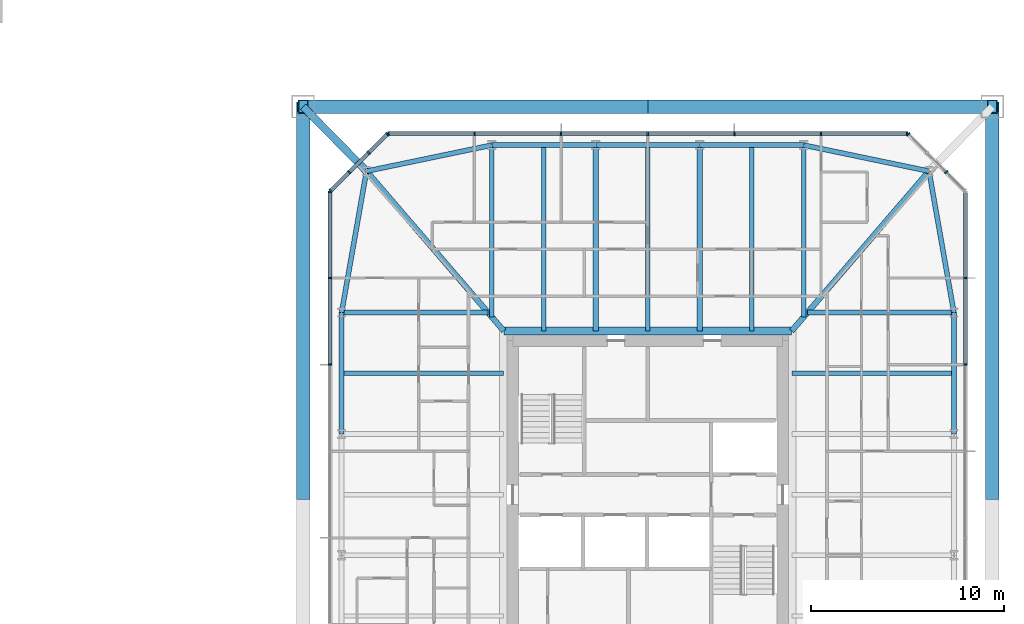
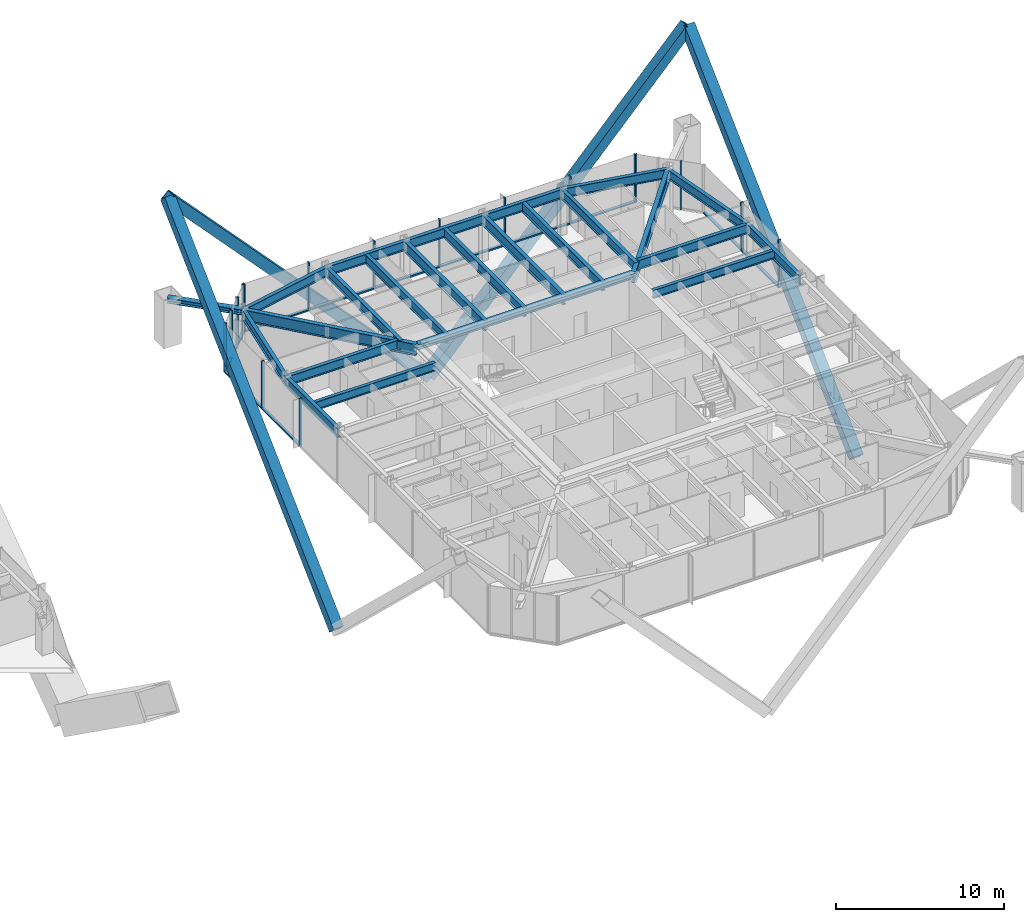
# One storey, part 12 of 28: 36 members, 23 beams, 5 elements without a shape of their own.
"""IFC4 building model written with IfcOpenShell, lengths in metres."""

from ifc_helpers import new_model, si_unit, direction, frame, origin, origin_2d, place, context, subcontext, project, spatial, rectangle, hollow_rectangle, i_section, extrude, material, material_profile, profile_set, type_object, element, aggregate, save


model = new_model("IFC4")

# Units and contexts
model_context = context("Model", 3, precision=1e-05, world=origin(), true_north=direction((0.0, 1.0)))
body_context = subcontext(model_context, "Body", "Model", "MODEL_VIEW")
ifc_project = project(units=[si_unit("LENGTHUNIT", "METRE"), si_unit("AREAUNIT", "SQUARE_METRE"), si_unit("VOLUMEUNIT", "CUBIC_METRE"), si_unit("PLANEANGLEUNIT", "RADIAN"), si_unit("MASSUNIT", "GRAM", prefix="KILO")], contexts=[model_context])

# Site, building, storey
site_placement = place(None, origin())
site = spatial("IfcSite", under=ifc_project, at=site_placement, CompositionType="ELEMENT")
building_placement = place(site_placement, origin())
building = spatial("IfcBuilding", under=site, at=building_placement, Name="Iwan Alto Co-Living Towers", CompositionType="ELEMENT")
storey_placement = place(building_placement, frame((0.0, 0.0, 64.0)))
storey = spatial("IfcBuildingStorey", under=building, at=storey_placement, Name="L17", CompositionType="ELEMENT", Elevation=64.0)

# Curtain wall, members
ifc_material_1 = material(Name="Bronze aluminium unitised frame", Category="aluminium")
curtain_wall_type_1 = type_object("IfcCurtainWallType", Name="CURTAIN WALL CW-C", PredefinedType="NOTDEFINED", material=ifc_material_1)
curtain_wall_1_placement = place(storey_placement, origin())
curtain_wall_1 = element("IfcCurtainWall", 1, at=curtain_wall_1_placement, inside=storey, type_object=curtain_wall_type_1, Name="T2 curtain wall E L17", PredefinedType="NOTDEFINED")
ifc_material_2 = material(Name="Aluminium 6063-T6 bronze anodised", Category="aluminium")
ifc_material_profile_1 = material_profile(ifc_material_2, rectangle(XDim=0.199951171875, YDim=0.080078125, at=origin_2d()), Name="AL 80X200")
ifc_profile_set_1 = profile_set([ifc_material_profile_1], Name="Aluminium 6063-T6 bronze anodised")
member_type_1 = type_object("IfcMemberType", Name="CW-C MULLION 80X200", PredefinedType="MULLION", material=ifc_profile_set_1)
member_1_placement = place(storey_placement, frame((79.5, 6.75, 0.0), z_axis=(0.0, 0.0, 1.0), x_axis=(-1.0, 0.0, 0.0)))
member_1 = element("IfcMember", 2, at=member_1_placement, type_object=member_type_1, Name="CW-C mullion 6", PredefinedType="MULLION", context=body_context, shape_type="SweptSolid", body=[
    extrude(rectangle(XDim=0.199951171875, YDim=0.080078125, at=origin_2d()), origin(), (0.0, 0.0, 1.0), 3.5),
])
member_2_placement = place(storey_placement, frame((79.5, 11.25, 0.0), z_axis=(0.0, 0.0, 1.0), x_axis=(-1.0, 0.0, 0.0)))
member_2 = element("IfcMember", 3, at=member_2_placement, type_object=member_type_1, Name="CW-C mullion 7", PredefinedType="MULLION", context=body_context, shape_type="SweptSolid", body=[
    extrude(rectangle(XDim=0.199951171875, YDim=0.080078125, at=origin_2d()), origin(), (0.0, 0.0, 1.0), 3.5),
])

curtain_wall_2_placement = place(storey_placement, origin())
curtain_wall_2 = element("IfcCurtainWall", 4, at=curtain_wall_2_placement, inside=storey, type_object=curtain_wall_type_1, Name="T2 curtain wall N L17", PredefinedType="NOTDEFINED")
member_3_placement = place(storey_placement, frame((76.4599609375, 18.75, 0.0), z_axis=(0.0, 0.0, 1.0), x_axis=(0.0, -1.0, 0.0)))
member_3 = element("IfcMember", 5, at=member_3_placement, type_object=member_type_1, Name="CW-C mullion 1", PredefinedType="MULLION", context=body_context, shape_type="SweptSolid", body=[
    extrude(rectangle(XDim=0.199951171875, YDim=0.080078125, at=origin_2d()), origin(), (0.0, 0.0, 1.0), 3.5),
])
member_4_placement = place(storey_placement, frame((72.0, 18.75, 0.0), z_axis=(0.0, 0.0, 1.0), x_axis=(0.0, -1.0, 0.0)))
member_4 = element("IfcMember", 6, at=member_4_placement, type_object=member_type_1, Name="CW-C mullion 2", PredefinedType="MULLION", context=body_context, shape_type="SweptSolid", body=[
    extrude(rectangle(XDim=0.199951171875, YDim=0.080078125, at=origin_2d()), origin(), (0.0, 0.0, 1.0), 3.5),
])
member_5_placement = place(storey_placement, frame((67.5, 18.75, 0.0), z_axis=(0.0, 0.0, 1.0), x_axis=(0.0, -1.0, 0.0)))
member_5 = element("IfcMember", 7, at=member_5_placement, type_object=member_type_1, Name="CW-C mullion 3", PredefinedType="MULLION", context=body_context, shape_type="SweptSolid", body=[
    extrude(rectangle(XDim=0.199951171875, YDim=0.080078125, at=origin_2d()), origin(), (0.0, 0.0, 1.0), 3.5),
])
member_6_placement = place(storey_placement, frame((63.0, 18.75, 0.0), z_axis=(0.0, 0.0, 1.0), x_axis=(0.0, -1.0, 0.0)))
member_6 = element("IfcMember", 8, at=member_6_placement, type_object=member_type_1, Name="CW-C mullion 4", PredefinedType="MULLION", context=body_context, shape_type="SweptSolid", body=[
    extrude(rectangle(XDim=0.199951171875, YDim=0.080078125, at=origin_2d()), origin(), (0.0, 0.0, 1.0), 3.5),
])
member_7_placement = place(storey_placement, frame((58.5, 18.75, 0.0), z_axis=(0.0, 0.0, 1.0), x_axis=(0.0, -1.0, 0.0)))
member_7 = element("IfcMember", 9, at=member_7_placement, type_object=member_type_1, Name="CW-C mullion 5", PredefinedType="MULLION", context=body_context, shape_type="SweptSolid", body=[
    extrude(rectangle(XDim=0.199951171875, YDim=0.080078125, at=origin_2d()), origin(), (0.0, 0.0, 1.0), 3.5),
])
member_8_placement = place(storey_placement, frame((54.0, 18.75, 0.0), z_axis=(0.0, 0.0, 1.0), x_axis=(0.0, -1.0, 0.0)))
member_8 = element("IfcMember", 10, at=member_8_placement, type_object=member_type_1, Name="CW-C mullion 6", PredefinedType="MULLION", context=body_context, shape_type="SweptSolid", body=[
    extrude(rectangle(XDim=0.199951171875, YDim=0.080078125, at=origin_2d()), origin(), (0.0, 0.0, 1.0), 3.5),
])
member_9_placement = place(storey_placement, frame((49.5400390625, 18.75, 0.0), z_axis=(0.0, 0.0, 1.0), x_axis=(0.0, -1.0, 0.0)))
member_9 = element("IfcMember", 11, at=member_9_placement, type_object=member_type_1, Name="CW-C mullion 7", PredefinedType="MULLION", context=body_context, shape_type="SweptSolid", body=[
    extrude(rectangle(XDim=0.199951171875, YDim=0.080078125, at=origin_2d()), origin(), (0.0, 0.0, 1.0), 3.5),
])

curtain_wall_3_placement = place(storey_placement, origin())
curtain_wall_3 = element("IfcCurtainWall", 12, at=curtain_wall_3_placement, inside=storey, type_object=curtain_wall_type_1, Name="T2 curtain wall W L17", PredefinedType="NOTDEFINED")
member_10_placement = place(storey_placement, frame((46.5, 15.7099609375, 0.0), z_axis=(0.0, 0.0, 1.0), x_axis=(1.0, 0.0, 0.0)))
member_10 = element("IfcMember", 13, at=member_10_placement, type_object=member_type_1, Name="CW-C mullion 1", PredefinedType="MULLION", context=body_context, shape_type="SweptSolid", body=[
    extrude(rectangle(XDim=0.199951171875, YDim=0.080078125, at=origin_2d()), origin(), (0.0, 0.0, 1.0), 3.5),
])
member_11_placement = place(storey_placement, frame((46.5, 11.25, 0.0), z_axis=(0.0, 0.0, 1.0), x_axis=(1.0, 0.0, 0.0)))
member_11 = element("IfcMember", 14, at=member_11_placement, type_object=member_type_1, Name="CW-C mullion 2", PredefinedType="MULLION", context=body_context, shape_type="SweptSolid", body=[
    extrude(rectangle(XDim=0.199951171875, YDim=0.080078125, at=origin_2d()), origin(), (0.0, 0.0, 1.0), 3.5),
])
member_12_placement = place(storey_placement, frame((46.5, 6.75, 0.0), z_axis=(0.0, 0.0, 1.0), x_axis=(1.0, 0.0, 0.0)))
member_12 = element("IfcMember", 15, at=member_12_placement, type_object=member_type_1, Name="CW-C mullion 3", PredefinedType="MULLION", context=body_context, shape_type="SweptSolid", body=[
    extrude(rectangle(XDim=0.199951171875, YDim=0.080078125, at=origin_2d()), origin(), (0.0, 0.0, 1.0), 3.5),
])

# Member
ifc_material_3 = material(Name="Aluminium 6063-T6 bronze anodised", Category="aluminium")
ifc_material_profile_2 = material_profile(ifc_material_3, rectangle(XDim=0.199951171875, YDim=0.10009765625, at=origin_2d()), Name="AL 200X100")
ifc_profile_set_2 = profile_set([ifc_material_profile_2], Name="Aluminium 6063-T6 bronze anodised")
member_type_2 = type_object("IfcMemberType", Name="CW-C TRANSOM 200X100", PredefinedType="USERDEFINED", material=ifc_profile_set_2)
member_13_placement = place(storey_placement, frame((79.5, 6.7900390625, 0.050048828125), z_axis=(0.0, 1.0, 0.0), x_axis=(-1.0, 0.0, 0.0)))
member_13 = element("IfcMember", 16, at=member_13_placement, type_object=member_type_2, Name="CW-C transom 6.1", ObjectType="TRANSOM", PredefinedType="USERDEFINED", context=body_context, shape_type="SweptSolid", body=[
    extrude(rectangle(XDim=0.199951171875, YDim=0.10009765625, at=origin_2d()), origin(), (0.0, 0.0, 1.0), 4.419921875),
])

member_14_placement = place(storey_placement, frame((79.5, 11.2900390625, 0.050048828125), z_axis=(0.0, 1.0, 0.0), x_axis=(-1.0, 0.0, 0.0)))
member_14 = element("IfcMember", 17, at=member_14_placement, type_object=member_type_2, Name="CW-C transom 7.1", ObjectType="TRANSOM", PredefinedType="USERDEFINED", context=body_context, shape_type="SweptSolid", body=[
    extrude(rectangle(XDim=0.199951171875, YDim=0.10009765625, at=origin_2d()), origin(), (0.0, 0.0, 1.0), 4.3798828125),
])

aggregate(curtain_wall_1, [member_1, member_2, member_13, member_14])

member_15_placement = place(storey_placement, frame((76.419921875, 18.75, 0.050048828125), z_axis=(-1.0, 0.0, 0.0), x_axis=(0.0, -1.0, 0.0)))
member_15 = element("IfcMember", 18, at=member_15_placement, type_object=member_type_2, Name="CW-C transom 1.1", ObjectType="TRANSOM", PredefinedType="USERDEFINED", context=body_context, shape_type="SweptSolid", body=[
    extrude(rectangle(XDim=0.199951171875, YDim=0.10009765625, at=origin_2d()), origin(), (0.0, 0.0, 1.0), 4.3798828125),
])

member_16_placement = place(storey_placement, frame((71.9599609375, 18.75, 0.050048828125), z_axis=(-1.0, 0.0, 0.0), x_axis=(0.0, -1.0, 0.0)))
member_16 = element("IfcMember", 19, at=member_16_placement, type_object=member_type_2, Name="CW-C transom 2.1", ObjectType="TRANSOM", PredefinedType="USERDEFINED", context=body_context, shape_type="SweptSolid", body=[
    extrude(rectangle(XDim=0.199951171875, YDim=0.10009765625, at=origin_2d()), origin(), (0.0, 0.0, 1.0), 4.419921875),
])

member_17_placement = place(storey_placement, frame((67.4599609375, 18.75, 0.050048828125), z_axis=(-1.0, 0.0, 0.0), x_axis=(0.0, -1.0, 0.0)))
member_17 = element("IfcMember", 20, at=member_17_placement, type_object=member_type_2, Name="CW-C transom 3.1", ObjectType="TRANSOM", PredefinedType="USERDEFINED", context=body_context, shape_type="SweptSolid", body=[
    extrude(rectangle(XDim=0.199951171875, YDim=0.10009765625, at=origin_2d()), origin(), (0.0, 0.0, 1.0), 4.419921875),
])

member_18_placement = place(storey_placement, frame((62.9599609375, 18.75, 0.050048828125), z_axis=(-1.0, 0.0, 0.0), x_axis=(0.0, -1.0, 0.0)))
member_18 = element("IfcMember", 21, at=member_18_placement, type_object=member_type_2, Name="CW-C transom 4.1", ObjectType="TRANSOM", PredefinedType="USERDEFINED", context=body_context, shape_type="SweptSolid", body=[
    extrude(rectangle(XDim=0.199951171875, YDim=0.10009765625, at=origin_2d()), origin(), (0.0, 0.0, 1.0), 4.419921875),
])

member_19_placement = place(storey_placement, frame((58.4599609375, 18.75, 0.050048828125), z_axis=(-1.0, 0.0, 0.0), x_axis=(0.0, -1.0, 0.0)))
member_19 = element("IfcMember", 22, at=member_19_placement, type_object=member_type_2, Name="CW-C transom 5.1", ObjectType="TRANSOM", PredefinedType="USERDEFINED", context=body_context, shape_type="SweptSolid", body=[
    extrude(rectangle(XDim=0.199951171875, YDim=0.10009765625, at=origin_2d()), origin(), (0.0, 0.0, 1.0), 4.419921875),
])

member_20_placement = place(storey_placement, frame((53.9599609375, 18.75, 0.050048828125), z_axis=(-1.0, 0.0, 0.0), x_axis=(0.0, -1.0, 0.0)))
member_20 = element("IfcMember", 23, at=member_20_placement, type_object=member_type_2, Name="CW-C transom 6.1", ObjectType="TRANSOM", PredefinedType="USERDEFINED", context=body_context, shape_type="SweptSolid", body=[
    extrude(rectangle(XDim=0.199951171875, YDim=0.10009765625, at=origin_2d()), origin(), (0.0, 0.0, 1.0), 4.3798828125),
])

aggregate(curtain_wall_2, [member_3, member_4, member_5, member_6, member_7, member_8, member_9, member_15, member_16, member_17, member_18, member_19, member_20])

member_21_placement = place(storey_placement, frame((46.5, 15.669921875, 0.050048828125), z_axis=(0.0, -1.0, 0.0), x_axis=(1.0, 0.0, 0.0)))
member_21 = element("IfcMember", 24, at=member_21_placement, type_object=member_type_2, Name="CW-C transom 1.1", ObjectType="TRANSOM", PredefinedType="USERDEFINED", context=body_context, shape_type="SweptSolid", body=[
    extrude(rectangle(XDim=0.199951171875, YDim=0.10009765625, at=origin_2d()), origin(), (0.0, 0.0, 1.0), 4.3798828125),
])

member_22_placement = place(storey_placement, frame((46.5, 11.2099609375, 0.050048828125), z_axis=(0.0, -1.0, 0.0), x_axis=(1.0, 0.0, 0.0)))
member_22 = element("IfcMember", 25, at=member_22_placement, type_object=member_type_2, Name="CW-C transom 2.1", ObjectType="TRANSOM", PredefinedType="USERDEFINED", context=body_context, shape_type="SweptSolid", body=[
    extrude(rectangle(XDim=0.199951171875, YDim=0.10009765625, at=origin_2d()), origin(), (0.0, 0.0, 1.0), 4.419921875),
])

aggregate(curtain_wall_3, [member_10, member_11, member_12, member_21, member_22])

# Curtain wall, members
ifc_material_4 = material(Name="Bronze aluminium unitised frame", Category="aluminium")
curtain_wall_type_2 = type_object("IfcCurtainWallType", Name="CURTAIN WALL CW-D", PredefinedType="NOTDEFINED", material=ifc_material_4)
curtain_wall_4_placement = place(storey_placement, origin())
curtain_wall_4 = element("IfcCurtainWall", 26, at=curtain_wall_4_placement, inside=storey, type_object=curtain_wall_type_2, Name="T2 chamfer curtain wall NE L17", PredefinedType="NOTDEFINED")
ifc_material_5 = material(Name="Aluminium 6063-T6 bronze anodised", Category="aluminium")
ifc_material_profile_3 = material_profile(ifc_material_5, rectangle(XDim=0.199951171875, YDim=0.080078125, at=origin_2d()), Name="AL 80X200")
ifc_profile_set_3 = profile_set([ifc_material_profile_3], Name="Aluminium 6063-T6 bronze anodised")
member_type_3 = type_object("IfcMemberType", Name="CW-D MULLION 80X200", PredefinedType="MULLION", material=ifc_profile_set_3)
member_23_placement = place(storey_placement, frame((78.5, 16.75, 0.0), z_axis=(0.0, 0.0, 1.0), x_axis=(-0.707106781187, -0.707106781187, 0.0)))
member_23 = element("IfcMember", 27, at=member_23_placement, type_object=member_type_3, Name="CW-D mullion 2", PredefinedType="MULLION", context=body_context, shape_type="SweptSolid", body=[
    extrude(rectangle(XDim=0.199951171875, YDim=0.080078125, at=origin_2d()), origin(), (0.0, 0.0, 1.0), 3.5),
])
member_24_placement = place(storey_placement, frame((76.5283203125, 18.7216796875, 0.0), z_axis=(0.0, 0.0, 1.0), x_axis=(-0.707106781187, -0.707106781187, 0.0)))
member_24 = element("IfcMember", 28, at=member_24_placement, type_object=member_type_3, Name="CW-D mullion 4", PredefinedType="MULLION", context=body_context, shape_type="SweptSolid", body=[
    extrude(rectangle(XDim=0.199951171875, YDim=0.080078125, at=origin_2d()), origin(), (0.0, 0.0, 1.0), 3.5),
])
aggregate(curtain_wall_4, [member_23, member_24])

curtain_wall_5_placement = place(storey_placement, origin())
curtain_wall_5 = element("IfcCurtainWall", 29, at=curtain_wall_5_placement, inside=storey, type_object=curtain_wall_type_2, Name="T2 chamfer curtain wall NW L17", PredefinedType="NOTDEFINED")
member_25_placement = place(storey_placement, frame((49.4716796875, 18.7216796875, 0.0), z_axis=(0.0, 0.0, 1.0), x_axis=(0.707106781187, -0.707106781187, 0.0)))
member_25 = element("IfcMember", 30, at=member_25_placement, type_object=member_type_3, Name="CW-D mullion 1", PredefinedType="MULLION", context=body_context, shape_type="SweptSolid", body=[
    extrude(rectangle(XDim=0.199951171875, YDim=0.080078125, at=origin_2d()), origin(), (0.0, 0.0, 1.0), 3.5),
])
member_26_placement = place(storey_placement, frame((48.5, 17.75, 0.0), z_axis=(0.0, 0.0, 1.0), x_axis=(0.707106781187, -0.707106781187, 0.0)))
member_26 = element("IfcMember", 31, at=member_26_placement, type_object=member_type_3, Name="CW-D mullion 2", PredefinedType="MULLION", context=body_context, shape_type="SweptSolid", body=[
    extrude(rectangle(XDim=0.199951171875, YDim=0.080078125, at=origin_2d()), origin(), (0.0, 0.0, 1.0), 3.5),
])
member_27_placement = place(storey_placement, frame((47.5, 16.75, 0.0), z_axis=(0.0, 0.0, 1.0), x_axis=(0.707106781187, -0.707106781187, 0.0)))
member_27 = element("IfcMember", 32, at=member_27_placement, type_object=member_type_3, Name="CW-D mullion 3", PredefinedType="MULLION", context=body_context, shape_type="SweptSolid", body=[
    extrude(rectangle(XDim=0.199951171875, YDim=0.080078125, at=origin_2d()), origin(), (0.0, 0.0, 1.0), 3.5),
])
member_28_placement = place(storey_placement, frame((46.5283203125, 15.7783203125, 0.0), z_axis=(0.0, 0.0, 1.0), x_axis=(0.707106781187, -0.707106781187, 0.0)))
member_28 = element("IfcMember", 33, at=member_28_placement, type_object=member_type_3, Name="CW-D mullion 4", PredefinedType="MULLION", context=body_context, shape_type="SweptSolid", body=[
    extrude(rectangle(XDim=0.199951171875, YDim=0.080078125, at=origin_2d()), origin(), (0.0, 0.0, 1.0), 3.5),
])
ifc_material_6 = material(Name="Aluminium 6063-T6 bronze anodised", Category="aluminium")
ifc_material_profile_4 = material_profile(ifc_material_6, rectangle(XDim=0.199951171875, YDim=0.10009765625, at=origin_2d()), Name="AL 200X100")
ifc_profile_set_4 = profile_set([ifc_material_profile_4], Name="Aluminium 6063-T6 bronze anodised")
member_type_4 = type_object("IfcMemberType", Name="CW-D TRANSOM 200X100", PredefinedType="USERDEFINED", material=ifc_profile_set_4)
member_29_placement = place(storey_placement, frame((49.443359375, 18.693359375, 0.050048828125), z_axis=(-0.707106781187, -0.707106781187, 0.0), x_axis=(0.707106781187, -0.707106781187, 0.0)))
member_29 = element("IfcMember", 34, at=member_29_placement, type_object=member_type_4, Name="CW-D transom 1.1", ObjectType="TRANSOM", PredefinedType="USERDEFINED", context=body_context, shape_type="SweptSolid", body=[
    extrude(rectangle(XDim=0.199951171875, YDim=0.10009765625, at=origin_2d()), origin(), (0.0, 0.0, 1.0), 1.2939453125),
])
member_30_placement = place(storey_placement, frame((48.4716796875, 17.7216796875, 0.050048828125), z_axis=(-0.707106781187, -0.707106781187, 0.0), x_axis=(0.707106781187, -0.707106781187, 0.0)))
member_30 = element("IfcMember", 35, at=member_30_placement, type_object=member_type_4, Name="CW-D transom 2.1", ObjectType="TRANSOM", PredefinedType="USERDEFINED", context=body_context, shape_type="SweptSolid", body=[
    extrude(rectangle(XDim=0.199951171875, YDim=0.10009765625, at=origin_2d()), origin(), (0.0, 0.0, 1.0), 1.334228515625),
])
member_31_placement = place(storey_placement, frame((47.4716796875, 16.7216796875, 0.050048828125), z_axis=(-0.707106781187, -0.707106781187, 0.0), x_axis=(0.707106781187, -0.707106781187, 0.0)))
member_31 = element("IfcMember", 36, at=member_31_placement, type_object=member_type_4, Name="CW-D transom 3.1", ObjectType="TRANSOM", PredefinedType="USERDEFINED", context=body_context, shape_type="SweptSolid", body=[
    extrude(rectangle(XDim=0.199951171875, YDim=0.10009765625, at=origin_2d()), origin(), (0.0, 0.0, 1.0), 1.2939453125),
])
aggregate(curtain_wall_5, [member_25, member_26, member_27, member_28, member_29, member_30, member_31])

# Beams
ifc_material_7 = material(Name="Steel ASTM A992 Gr 50", Category="steel")
ifc_material_profile_5 = material_profile(ifc_material_7, i_section(OverallWidth=0.398681640625, OverallDepth=0.385986328125, WebThickness=0.02099609375, FlangeThickness=0.033203125, at=origin_2d()), Name="W14X176")
ifc_profile_set_5 = profile_set([ifc_material_profile_5], Name="Steel ASTM A992 Gr 50")
beam_type_1 = type_object("IfcBeamType", Name="T2 CORE LEDGER BEAM W14X176", PredefinedType="BEAM", material=ifc_profile_set_5)
beam_1_placement = place(storey_placement, frame((70.471435546875, 8.49951171875, 3.076904296875), z_axis=(-1.0, 0.0, 0.0), x_axis=(0.0, -1.0, 0.0)))
element("IfcBeam", 37, at=beam_1_placement, inside=storey, type_object=beam_type_1, Name="T2 core ledger beam N L18", PredefinedType="BEAM", context=body_context, shape_type="SweptSolid", body=[
    extrude(i_section(OverallWidth=0.398681640625, OverallDepth=0.385986328125, WebThickness=0.02099609375, FlangeThickness=0.033203125, at=origin_2d()), origin(), (0.0, 0.0, 1.0), 14.94287109375),
])
ifc_material_8 = material(Name="Steel ASTM A992 Gr 50", Category="steel")
ifc_material_profile_6 = material_profile(ifc_material_8, i_section(OverallWidth=0.2919921875, OverallDepth=0.8408203125, WebThickness=0.0146484375, FlangeThickness=0.021728515625, at=origin_2d()), Name="W33X130")
ifc_profile_set_6 = profile_set([ifc_material_profile_6], Name="Steel ASTM A992 Gr 50")
beam_type_2 = type_object("IfcBeamType", Name="T2 CORNER GIRDER W33X130", PredefinedType="BEAM", material=ifc_profile_set_6)
for number, where, z_axis, x_axis, name in (
    (38, (77.606201171875, 16.797119140625, 2.849609375), (-0.651977452133, -0.758238354286, 0.0), (0.758238354286, -0.651977452133, 0.0), "T2 corner girder CNE L18"),
    (39, (48.393798828125, 16.797119140625, 2.849609375), (0.651977452133, -0.758238354286, 0.0), (0.758238354286, 0.651977452133, 0.0), "T2 corner girder CNW L18"),
):
    element("IfcBeam", number, at=place(storey_placement, frame(where, z_axis=z_axis, x_axis=x_axis)), inside=storey, type_object=beam_type_2, Name=name, PredefinedType="BEAM", context=body_context, shape_type="SweptSolid", body=[
        extrude(i_section(OverallWidth=0.2919921875, OverallDepth=0.8408203125, WebThickness=0.0146484375, FlangeThickness=0.021728515625, at=origin_2d()), origin(), (0.0, 0.0, 1.0), 10.943359375),
    ])
ifc_material_9 = material(Name="Steel ASTM A992 Gr 50", Category="steel")
ifc_material_profile_7 = material_profile(ifc_material_9, i_section(OverallWidth=0.25390625, OverallDepth=0.683349609375, WebThickness=0.012451171875, FlangeThickness=0.018798828125, at=origin_2d()), Name="W27X94")
ifc_profile_set_7 = profile_set([ifc_material_profile_7], Name="Steel ASTM A992 Gr 50")
beam_type_3 = type_object("IfcBeamType", Name="T2 EDGE BEAM W27X94", PredefinedType="BEAM", material=ifc_profile_set_7)
beam_2_placement = place(storey_placement, frame((78.89990234375, 3.14990234375, 2.928466796875), z_axis=(0.0, 1.0, 0.0), x_axis=(-1.0, 0.0, 0.0)))
element("IfcBeam", 40, at=beam_2_placement, inside=storey, type_object=beam_type_3, Name="T2 edge beam E3 L18", PredefinedType="BEAM", context=body_context, shape_type="SweptSolid", body=[
    extrude(i_section(OverallWidth=0.25390625, OverallDepth=0.683349609375, WebThickness=0.012451171875, FlangeThickness=0.018798828125, at=origin_2d()), origin(), (0.0, 0.0, 1.0), 6.300048828125),
])
beam_3_placement = place(storey_placement, frame((78.89990234375, 9.449951171875, 2.928466796875), z_axis=(-0.173413807283, 0.98484905008, 0.0), x_axis=(-0.98484905008, -0.173413807283, 0.0)))
element("IfcBeam", 41, at=beam_3_placement, inside=storey, type_object=beam_type_3, Name="T2 edge beam E4 L18", PredefinedType="BEAM", context=body_context, shape_type="SweptSolid", body=[
    extrude(i_section(OverallWidth=0.25390625, OverallDepth=0.683349609375, WebThickness=0.012451171875, FlangeThickness=0.018798828125, at=origin_2d()), origin(), (0.0, 0.0, 1.0), 7.460205078125),
])
beam_4_placement = place(storey_placement, frame((77.606201171875, 16.797119140625, 2.928466796875), z_axis=(-0.979060119423, 0.203571320564, 0.0), x_axis=(-0.203571320564, -0.979060119423, 0.0)))
element("IfcBeam", 42, at=beam_4_placement, inside=storey, type_object=beam_type_3, Name="T2 edge beam CNE L18", PredefinedType="BEAM", context=body_context, shape_type="SweptSolid", body=[
    extrude(i_section(OverallWidth=0.25390625, OverallDepth=0.683349609375, WebThickness=0.012451171875, FlangeThickness=0.018798828125, at=origin_2d()), origin(), (0.0, 0.0, 1.0), 6.645263671875),
])
beam_5_placement = place(storey_placement, frame((71.10009765625, 18.14990234375, 2.928466796875), z_axis=(-1.0, 0.0, 0.0), x_axis=(0.0, -1.0, 0.0)))
element("IfcBeam", 43, at=beam_5_placement, inside=storey, type_object=beam_type_3, Name="T2 edge beam N1 L18", PredefinedType="BEAM", context=body_context, shape_type="SweptSolid", body=[
    extrude(i_section(OverallWidth=0.25390625, OverallDepth=0.683349609375, WebThickness=0.012451171875, FlangeThickness=0.018798828125, at=origin_2d()), origin(), (0.0, 0.0, 1.0), 5.400146484375),
])
beam_6_placement = place(storey_placement, frame((65.699951171875, 18.14990234375, 2.928466796875), z_axis=(-1.0, 0.0, 0.0), x_axis=(0.0, -1.0, 0.0)))
element("IfcBeam", 44, at=beam_6_placement, inside=storey, type_object=beam_type_3, Name="T2 edge beam N2 L18", PredefinedType="BEAM", context=body_context, shape_type="SweptSolid", body=[
    extrude(i_section(OverallWidth=0.25390625, OverallDepth=0.683349609375, WebThickness=0.012451171875, FlangeThickness=0.018798828125, at=origin_2d()), origin(), (0.0, 0.0, 1.0), 5.39990234375),
])
beam_7_placement = place(storey_placement, frame((60.300048828125, 18.14990234375, 2.928466796875), z_axis=(-1.0, 0.0, 0.0), x_axis=(0.0, -1.0, 0.0)))
element("IfcBeam", 45, at=beam_7_placement, inside=storey, type_object=beam_type_3, Name="T2 edge beam N3 L18", PredefinedType="BEAM", context=body_context, shape_type="SweptSolid", body=[
    extrude(i_section(OverallWidth=0.25390625, OverallDepth=0.683349609375, WebThickness=0.012451171875, FlangeThickness=0.018798828125, at=origin_2d()), origin(), (0.0, 0.0, 1.0), 5.400146484375),
])
beam_8_placement = place(storey_placement, frame((54.89990234375, 18.14990234375, 2.928466796875), z_axis=(-0.979060119423, -0.203571320564, 0.0), x_axis=(0.203571320564, -0.979060119423, 0.0)))
element("IfcBeam", 46, at=beam_8_placement, inside=storey, type_object=beam_type_3, Name="T2 edge beam N4 L18", PredefinedType="BEAM", context=body_context, shape_type="SweptSolid", body=[
    extrude(i_section(OverallWidth=0.25390625, OverallDepth=0.683349609375, WebThickness=0.012451171875, FlangeThickness=0.018798828125, at=origin_2d()), origin(), (0.0, 0.0, 1.0), 6.645263671875),
])
beam_9_placement = place(storey_placement, frame((48.393798828125, 16.797119140625, 2.928466796875), z_axis=(-0.173413807283, -0.98484905008, 0.0), x_axis=(0.98484905008, -0.173413807283, 0.0)))
element("IfcBeam", 47, at=beam_9_placement, inside=storey, type_object=beam_type_3, Name="T2 edge beam CNW L18", PredefinedType="BEAM", context=body_context, shape_type="SweptSolid", body=[
    extrude(i_section(OverallWidth=0.25390625, OverallDepth=0.683349609375, WebThickness=0.012451171875, FlangeThickness=0.018798828125, at=origin_2d()), origin(), (0.0, 0.0, 1.0), 7.460205078125),
])
beam_10_placement = place(storey_placement, frame((47.10009765625, 9.449951171875, 2.928466796875), z_axis=(0.0, -1.0, 0.0), x_axis=(1.0, 0.0, 0.0)))
element("IfcBeam", 48, at=beam_10_placement, inside=storey, type_object=beam_type_3, Name="T2 edge beam W1 L18", PredefinedType="BEAM", context=body_context, shape_type="SweptSolid", body=[
    extrude(i_section(OverallWidth=0.25390625, OverallDepth=0.683349609375, WebThickness=0.012451171875, FlangeThickness=0.018798828125, at=origin_2d()), origin(), (0.0, 0.0, 1.0), 6.300048828125),
])

# Members
ifc_material_10 = material(Name="Steel ASTM A572 Gr 50", Category="steel")
ifc_material_profile_8 = material_profile(ifc_material_10, hollow_rectangle(XDim=0.699951171875, YDim=0.699951171875, WallThickness=0.044921875, at=origin_2d()), Name="BOX 700X700X45")
ifc_profile_set_8 = profile_set([ifc_material_profile_8], Name="Steel ASTM A572 Gr 50")
member_type_5 = type_object("IfcMemberType", Name="T2 MEGA BRACE BOX 700X700X45", PredefinedType="BRACE", material=ifc_profile_set_8)
member_32_placement = place(storey_placement, frame((80.89990234375, 0.0, -8.75), z_axis=(0.0, 0.72306867492, 0.690776151405), x_axis=(-1.0, 0.0, 0.0)))
element("IfcMember", 49, at=member_32_placement, inside=storey, type_object=member_type_5, Name="T2 mega brace Z1B E 1 upper", PredefinedType="BRACE", context=body_context, shape_type="SweptSolid", body=[
    extrude(hollow_rectangle(XDim=0.699951171875, YDim=0.699951171875, WallThickness=0.044921875, at=origin_2d()), origin(), (0.0, 0.0, 1.0), 27.8671875),
])
for number, where, z_axis, x_axis, name in (
    (50, (63.0, 20.14990234375, -8.75), (-0.680959649938, 0.0, 0.732320937264), (0.0, -1.0, 0.0), "T2 mega brace Z1B N 1 upper"),
    (51, (63.0, 20.14990234375, -8.75), (0.680959649938, 0.0, 0.732320937264), (0.0, 1.0, 0.0), "T2 mega brace Z1B N 2 upper"),
):
    element("IfcMember", number, at=place(storey_placement, frame(where, z_axis=z_axis, x_axis=x_axis)), inside=storey, type_object=member_type_5, Name=name, PredefinedType="BRACE", context=body_context, shape_type="SweptSolid", body=[
        extrude(hollow_rectangle(XDim=0.699951171875, YDim=0.699951171875, WallThickness=0.044921875, at=origin_2d()), origin(), (0.0, 0.0, 1.0), 26.286376953125),
    ])
member_33_placement = place(storey_placement, frame((45.10009765625, 0.0, -8.75), z_axis=(0.0, 0.72306867492, 0.690776151405), x_axis=(-1.0, 0.0, 0.0)))
element("IfcMember", 52, at=member_33_placement, inside=storey, type_object=member_type_5, Name="T2 mega brace Z1B W 2 upper", PredefinedType="BRACE", context=body_context, shape_type="SweptSolid", body=[
    extrude(hollow_rectangle(XDim=0.699951171875, YDim=0.699951171875, WallThickness=0.044921875, at=origin_2d()), origin(), (0.0, 0.0, 1.0), 27.8671875),
])
ifc_material_11 = material(Name="Steel ASTM A992 Gr 50", Category="steel")
ifc_material_profile_9 = material_profile(ifc_material_11, i_section(OverallWidth=0.393798828125, OverallDepth=0.3759765625, WebThickness=0.017333984375, FlangeThickness=0.027587890625, at=origin_2d()), Name="W14X145")
ifc_profile_set_9 = profile_set([ifc_material_profile_9], Name="Steel ASTM A992 Gr 50")
member_type_6 = type_object("IfcMemberType", Name="T2 MEGA COLUMN FLOOR TIE W14X145", PredefinedType="STRUT", material=ifc_profile_set_9)
member_34_placement = place(storey_placement, frame((45.10009765625, 20.14990234375, 3.08203125), z_axis=(0.700793469544, -0.71336422187, 0.0), x_axis=(0.71336422187, 0.700793469544, 0.0)))
element("IfcMember", 53, at=member_34_placement, inside=storey, type_object=member_type_6, Name="T2 mega column floor tie NW L18", PredefinedType="STRUT", context=body_context, shape_type="SweptSolid", body=[
    extrude(i_section(OverallWidth=0.393798828125, OverallDepth=0.3759765625, WebThickness=0.017333984375, FlangeThickness=0.027587890625, at=origin_2d()), origin(), (0.0, 0.0, 1.0), 4.699951171875),
])

# Beams
ifc_material_12 = material(Name="Steel ASTM A992 Gr 50", Category="steel")
ifc_material_profile_10 = material_profile(ifc_material_12, i_section(OverallWidth=0.25390625, OverallDepth=0.683349609375, WebThickness=0.012451171875, FlangeThickness=0.018798828125, at=origin_2d()), Name="W27X94")
ifc_profile_set_10 = profile_set([ifc_material_profile_10], Name="Steel ASTM A992 Gr 50")
beam_type_4 = type_object("IfcBeamType", Name="T2 RADIAL BEAM W27X94", PredefinedType="BEAM", material=ifc_profile_set_10)
beam_11_placement = place(storey_placement, frame((78.89990234375, 9.449951171875, 2.928466796875), z_axis=(-1.0, 0.0, 0.0), x_axis=(0.0, -1.0, 0.0)))
element("IfcBeam", 54, at=beam_11_placement, inside=storey, type_object=beam_type_4, Name="T2 radial beam E4 L18", PredefinedType="BEAM", context=body_context, shape_type="SweptSolid", body=[
    extrude(i_section(OverallWidth=0.25390625, OverallDepth=0.683349609375, WebThickness=0.012451171875, FlangeThickness=0.018798828125, at=origin_2d()), origin(), (0.0, 0.0, 1.0), 7.611083984375),
])
for number, where, z_axis, x_axis, name in (
    (55, (71.10009765625, 18.14990234375, 2.928466796875), (0.0, -1.0, 0.0), (1.0, 0.0, 0.0), "T2 radial beam N1 L18"),
    (56, (54.89990234375, 18.14990234375, 2.928466796875), (0.0, -1.0, 0.0), (1.0, 0.0, 0.0), "T2 radial beam N4 L18"),
):
    element("IfcBeam", number, at=place(storey_placement, frame(where, z_axis=z_axis, x_axis=x_axis)), inside=storey, type_object=beam_type_4, Name=name, PredefinedType="BEAM", context=body_context, shape_type="SweptSolid", body=[
        extrude(i_section(OverallWidth=0.25390625, OverallDepth=0.683349609375, WebThickness=0.012451171875, FlangeThickness=0.018798828125, at=origin_2d()), origin(), (0.0, 0.0, 1.0), 8.91943359375),
    ])
beam_12_placement = place(storey_placement, frame((47.10009765625, 9.449951171875, 2.928466796875), z_axis=(1.0, 0.0, 0.0), x_axis=(0.0, 1.0, 0.0)))
element("IfcBeam", 57, at=beam_12_placement, inside=storey, type_object=beam_type_4, Name="T2 radial beam W1 L18", PredefinedType="BEAM", context=body_context, shape_type="SweptSolid", body=[
    extrude(i_section(OverallWidth=0.25390625, OverallDepth=0.683349609375, WebThickness=0.012451171875, FlangeThickness=0.018798828125, at=origin_2d()), origin(), (0.0, 0.0, 1.0), 7.611083984375),
])
ifc_material_13 = material(Name="Steel ASTM A992 Gr 50", Category="steel")
ifc_material_profile_11 = material_profile(ifc_material_13, i_section(OverallWidth=0.2666015625, OverallDepth=0.761962890625, WebThickness=0.014404296875, FlangeThickness=0.021484375, at=origin_2d()), Name="W30X116")
ifc_profile_set_11 = profile_set([ifc_material_profile_11], Name="Steel ASTM A992 Gr 50")
beam_type_5 = type_object("IfcBeamType", Name="T2 RADIAL BEAM W30X116", PredefinedType="BEAM", material=ifc_profile_set_11)
for number, where, z_axis, x_axis, name in (
    (58, (65.699951171875, 18.14990234375, 2.888916015625), (0.0, -1.0, 0.0), (1.0, 0.0, 0.0), "T2 radial beam N2 L18"),
    (59, (60.300048828125, 18.14990234375, 2.888916015625), (0.0, -1.0, 0.0), (1.0, 0.0, 0.0), "T2 radial beam N3 L18"),
):
    element("IfcBeam", number, at=place(storey_placement, frame(where, z_axis=z_axis, x_axis=x_axis)), inside=storey, type_object=beam_type_5, Name=name, PredefinedType="BEAM", context=body_context, shape_type="SweptSolid", body=[
        extrude(i_section(OverallWidth=0.2666015625, OverallDepth=0.761962890625, WebThickness=0.014404296875, FlangeThickness=0.021484375, at=origin_2d()), origin(), (0.0, 0.0, 1.0), 9.650390625),
    ])
ifc_material_14 = material(Name="Steel ASTM A992 Gr 50", Category="steel")
ifc_material_profile_12 = material_profile(ifc_material_14, i_section(OverallWidth=0.228271484375, OverallDepth=0.607177734375, WebThickness=0.01123046875, FlangeThickness=0.017333984375, at=origin_2d()), Name="W24X76")
ifc_profile_set_12 = profile_set([ifc_material_profile_12], Name="Steel ASTM A992 Gr 50")
beam_type_6 = type_object("IfcBeamType", Name="T2 SECONDARY BEAM W24X76", PredefinedType="JOIST", material=ifc_profile_set_12)
for number, where, z_axis, x_axis, name in (
    (60, (78.89990234375, 6.300048828125, 2.966552734375), (-1.0, 0.0, 0.0), (0.0, -1.0, 0.0), "T2 secondary beam E3 L18"),
    (61, (47.10009765625, 6.300048828125, 2.966552734375), (1.0, 0.0, 0.0), (0.0, 1.0, 0.0), "T2 secondary beam W1 L18"),
):
    element("IfcBeam", number, at=place(storey_placement, frame(where, z_axis=z_axis, x_axis=x_axis)), inside=storey, type_object=beam_type_6, Name=name, PredefinedType="JOIST", context=body_context, shape_type="SweptSolid", body=[
        extrude(i_section(OverallWidth=0.228271484375, OverallDepth=0.607177734375, WebThickness=0.01123046875, FlangeThickness=0.017333984375, at=origin_2d()), origin(), (0.0, 0.0, 1.0), 8.400390625),
    ])
ifc_material_15 = material(Name="Steel ASTM A992 Gr 50", Category="steel")
ifc_material_profile_13 = material_profile(ifc_material_15, i_section(OverallWidth=0.25390625, OverallDepth=0.683349609375, WebThickness=0.012451171875, FlangeThickness=0.018798828125, at=origin_2d()), Name="W27X94")
ifc_profile_set_13 = profile_set([ifc_material_profile_13], Name="Steel ASTM A992 Gr 50")
beam_type_7 = type_object("IfcBeamType", Name="T2 SECONDARY BEAM W27X94", PredefinedType="JOIST", material=ifc_profile_set_13)
for number, where, z_axis, x_axis, name in (
    (62, (68.39990234375, 18.14990234375, 2.928466796875), (0.0, -1.0, 0.0), (1.0, 0.0, 0.0), "T2 secondary beam N1 L18"),
    (63, (63.0, 18.14990234375, 2.928466796875), (0.0, -1.0, 0.0), (1.0, 0.0, 0.0), "T2 secondary beam N2 L18"),
    (64, (57.60009765625, 18.14990234375, 2.928466796875), (0.0, -1.0, 0.0), (1.0, 0.0, 0.0), "T2 secondary beam N3 L18"),
):
    element("IfcBeam", number, at=place(storey_placement, frame(where, z_axis=z_axis, x_axis=x_axis)), inside=storey, type_object=beam_type_7, Name=name, PredefinedType="JOIST", context=body_context, shape_type="SweptSolid", body=[
        extrude(i_section(OverallWidth=0.25390625, OverallDepth=0.683349609375, WebThickness=0.012451171875, FlangeThickness=0.018798828125, at=origin_2d()), origin(), (0.0, 0.0, 1.0), 9.650390625),
    ])

save(model, "model.ifc")
